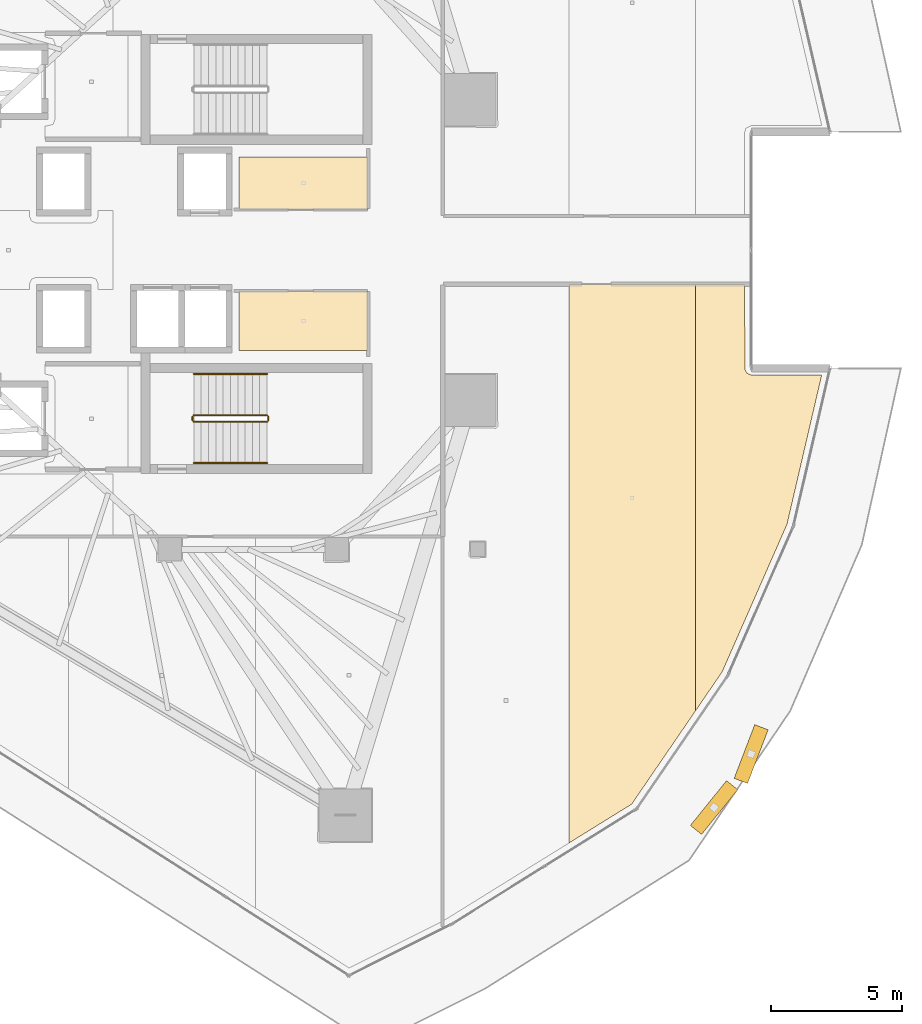
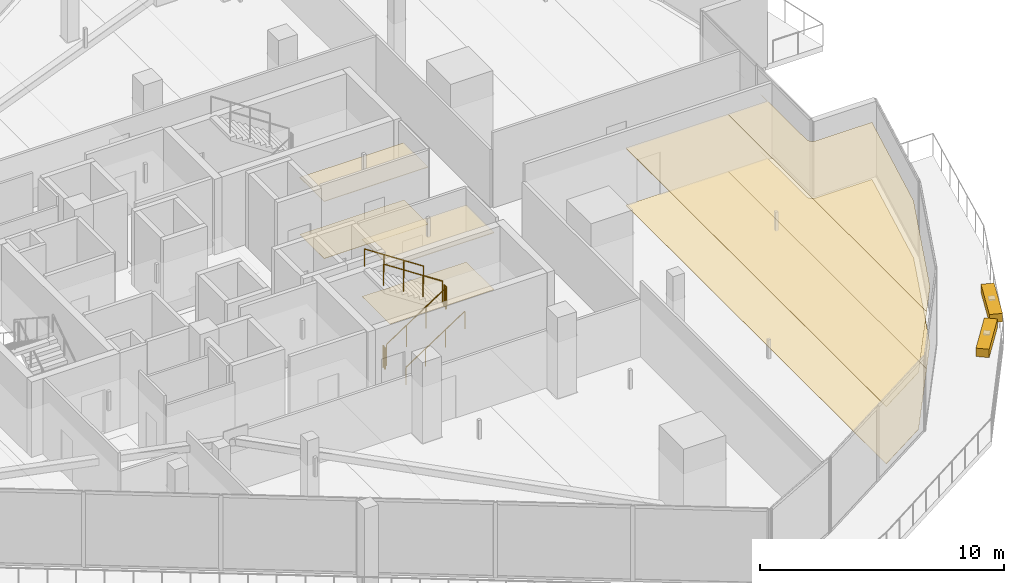
# One storey, part 36 of 39: 8 coverings, 6 railings, 2 shading devices.
"""IFC4 building model written with IfcOpenShell, lengths in metres."""

from ifc_helpers import new_model, si_unit, direction, frame, origin, origin_2d, place, context, subcontext, project, spatial, polyline, rectangle, circle, outline, extrude, material, layer, layer_set, type_object, element, save


model = new_model("IFC4")

# Units and contexts
model_context = context("Model", 3, precision=1e-05, world=origin(), true_north=direction((0.0, 1.0)))
body_context = subcontext(model_context, "Body", "Model", "MODEL_VIEW")
ifc_project = project(units=[si_unit("LENGTHUNIT", "METRE"), si_unit("AREAUNIT", "SQUARE_METRE"), si_unit("VOLUMEUNIT", "CUBIC_METRE"), si_unit("PLANEANGLEUNIT", "RADIAN"), si_unit("MASSUNIT", "GRAM", prefix="KILO")], contexts=[model_context])

# Site, building, storey
site_placement = place(None, origin())
site = spatial("IfcSite", under=ifc_project, at=site_placement, CompositionType="ELEMENT")
building_placement = place(site_placement, origin())
building = spatial("IfcBuilding", under=site, at=building_placement, Name="Qorvath Tower", CompositionType="ELEMENT")
storey_placement = place(building_placement, frame((0.0, 0.0, 201.0)))
storey = spatial("IfcBuildingStorey", under=building, at=storey_placement, Name="L46", CompositionType="ELEMENT", Elevation=201.0)

# Coverings
ifc_material_1 = material(Name="Acoustic mineral fibre ceiling tile", Category="gypsum")
ifc_layer_1 = layer(ifc_material_1, 0.030029296875)
ifc_layer_set_1 = layer_set([ifc_layer_1], Name="COV-CEIL")
covering_type_1 = type_object("IfcCoveringType", Name="COV-CEIL", PredefinedType="CEILING", material=ifc_layer_set_1)
covering_1_placement = place(storey_placement, frame((0.0, 0.0, 2.85009765625)))
element("IfcCovering", 1, at=covering_1_placement, inside=storey, type_object=covering_type_1, Name="L46 Suspended Acoustic Ceiling 003", PredefinedType="CEILING", context=body_context, shape_type="SweptSolid", body=[
    extrude(outline(polyline([(-16.0048828125, 3.56005859375), (-20.93994140625, 3.56005859375), (-20.93994140625, 1.56494140625), (-16.0048828125, 1.56494140625), (-16.0048828125, 3.56005859375)])), origin(), (0.0, 0.0, 1.0), 0.030029296875),
])
covering_2_placement = place(storey_placement, frame((0.0, 0.0, 2.85009765625)))
element("IfcCovering", 2, at=covering_2_placement, inside=storey, type_object=covering_type_1, Name="L46 Suspended Acoustic Ceiling 004", PredefinedType="CEILING", context=body_context, shape_type="SweptSolid", body=[
    extrude(outline(polyline([(-20.93994140625, -1.56494140625), (-20.93994140625, -3.85009765625), (-16.0048828125, -3.85009765625), (-16.0048828125, -1.56494140625), (-20.93994140625, -1.56494140625)])), origin(), (0.0, 0.0, 1.0), 0.030029296875),
])
covering_3_placement = place(storey_placement, frame((0.0, 0.0, 2.85009765625)))
element("IfcCovering", 3, at=covering_3_placement, inside=storey, type_object=covering_type_1, Name="L46 Suspended Acoustic Ceiling 025", PredefinedType="CEILING", context=body_context, shape_type="SweptSolid", body=[
    extrude(outline(polyline([(-3.47021484375, -17.63623046875), (-3.47021484375, -1.31298828125), (-8.3037109375, -1.31298828125), (-8.3037109375, -22.687744140625), (-5.91162109375, -21.20556640625), (-3.47021484375, -17.63623046875)])), origin(), (0.0, 0.0, 1.0), 0.030029296875),
])
covering_4_placement = place(storey_placement, frame((0.0, 0.0, 2.85009765625)))
element("IfcCovering", 4, at=covering_4_placement, inside=storey, type_object=covering_type_1, Name="L46 Suspended Acoustic Ceiling 026", PredefinedType="CEILING", context=body_context, shape_type="SweptSolid", body=[
    extrude(outline(polyline([(-1.491943359375, -4.715576171875), (-1.579345703125, -4.568603515625), (-1.590087890625, -0.740478515625), (-1.60107421875, -1.31298828125), (-3.47021484375, -1.31298828125), (-3.47021484375, -17.63623046875), (-2.446533203125, -16.139404296875), (0.03466796875, -10.492919921875), (1.363037109375, -4.77490234375), (-1.353515625, -4.773681640625), (-1.491943359375, -4.715576171875)])), origin(), (0.0, 0.0, 1.0), 0.030029296875),
])
ifc_material_2 = material(Name="Low-VOC modular carpet tile", Category="textile")
ifc_layer_2 = layer(ifc_material_2, 0.014892578125)
ifc_layer_set_2 = layer_set([ifc_layer_2], Name="COV-FLOOR-CPT")
covering_type_2 = type_object("IfcCoveringType", Name="COV-FLOOR-CPT", PredefinedType="FLOORING", material=ifc_layer_set_2)
covering_5_placement = place(storey_placement, origin())
element("IfcCovering", 5, at=covering_5_placement, inside=storey, type_object=covering_type_2, Name="L46 Floor Finish 003", PredefinedType="FLOORING", context=body_context, shape_type="SweptSolid", body=[
    extrude(outline(polyline([(-16.0048828125, 3.56005859375), (-20.93994140625, 3.56005859375), (-20.93994140625, 1.56494140625), (-16.0048828125, 1.56494140625), (-16.0048828125, 3.56005859375)])), origin(), (0.0, 0.0, 1.0), 0.014892578125),
])
covering_6_placement = place(storey_placement, origin())
element("IfcCovering", 6, at=covering_6_placement, inside=storey, type_object=covering_type_2, Name="L46 Floor Finish 004", PredefinedType="FLOORING", context=body_context, shape_type="SweptSolid", body=[
    extrude(outline(polyline([(-20.93994140625, -1.56494140625), (-20.93994140625, -3.85009765625), (-16.0048828125, -3.85009765625), (-16.0048828125, -1.56494140625), (-20.93994140625, -1.56494140625)])), origin(), (0.0, 0.0, 1.0), 0.014892578125),
])
covering_7_placement = place(storey_placement, origin())
element("IfcCovering", 7, at=covering_7_placement, inside=storey, type_object=covering_type_2, Name="L46 Floor Finish 025", PredefinedType="FLOORING", context=body_context, shape_type="SweptSolid", body=[
    extrude(outline(polyline([(-3.47021484375, -17.63623046875), (-3.47021484375, -1.31298828125), (-8.3037109375, -1.31298828125), (-8.3037109375, -22.687744140625), (-5.91162109375, -21.20556640625), (-3.47021484375, -17.63623046875)])), origin(), (0.0, 0.0, 1.0), 0.014892578125),
])
covering_8_placement = place(storey_placement, origin())
element("IfcCovering", 8, at=covering_8_placement, inside=storey, type_object=covering_type_2, Name="L46 Floor Finish 026", PredefinedType="FLOORING", context=body_context, shape_type="SweptSolid", body=[
    extrude(outline(polyline([(-1.491943359375, -4.715576171875), (-1.579345703125, -4.568603515625), (-1.590087890625, -0.740478515625), (-1.60107421875, -1.31298828125), (-3.47021484375, -1.31298828125), (-3.47021484375, -17.63623046875), (-2.446533203125, -16.139404296875), (0.03466796875, -10.492919921875), (1.363037109375, -4.77490234375), (-1.353515625, -4.773681640625), (-1.491943359375, -4.715576171875)])), origin(), (0.0, 0.0, 1.0), 0.014892578125),
])

# Railings
ifc_material_3 = material(Name="Painted galvanised steel", Category="steel")
railing_type_1 = type_object("IfcRailingType", Name="RL-STR-GRD", PredefinedType="GUARDRAIL", material=ifc_material_3)
railing_1_placement = place(storey_placement, frame((-22.669921875, -6.570068359375, 0.18408203125)))
element("IfcRailing", 9, at=railing_1_placement, inside=storey, type_object=railing_type_1, Name="L46 TS2 stair guard 1", PredefinedType="GUARDRAIL", context=body_context, shape_type="SweptSolid", body=[
    extrude(circle(Radius=0.02392578125, at=origin_2d()), frame((0.0, 0.0, 1.076171875), z_axis=(0.835575518608, 0.0, 0.549375602573), x_axis=(0.0, 1.0, 0.0)), (0.0, 0.0, 1.0), 3.350830078125),
    extrude(circle(Radius=0.02099609375, at=origin_2d()), origin(), (0.0, 0.0, 1.0), 1.052001953125),
    extrude(circle(Radius=0.02099609375, at=origin_2d()), frame((0.933349609375, 0.0, 0.613525390625)), (0.0, 0.0, 1.0), 1.052001953125),
    extrude(circle(Radius=0.02099609375, at=origin_2d()), frame((1.866455078125, 0.0, 1.227294921875)), (0.0, 0.0, 1.0), 1.052001953125),
    extrude(circle(Radius=0.02099609375, at=origin_2d()), frame((2.7998046875, 0.0, 1.8408203125)), (0.0, 0.0, 1.0), 1.052001953125),
])
railing_2_placement = place(storey_placement, frame((-19.820068359375, -6.52001953125, 2.02490234375)))
element("IfcRailing", 10, at=railing_2_placement, inside=storey, type_object=railing_type_1, Name="L46 TS2 stair guard 2", PredefinedType="GUARDRAIL", context=body_context, shape_type="SweptSolid", body=[
    extrude(circle(Radius=0.02392578125, at=origin_2d()), frame((0.0, 0.0, 1.076171875), z_axis=(0.0, 1.0, 0.0), x_axis=(-1.0, 0.0, 0.0)), (0.0, 0.0, 1.0), 0.14990234375),
    extrude(circle(Radius=0.02099609375, at=origin_2d()), origin(), (0.0, 0.0, 1.0), 1.052001953125),
    extrude(circle(Radius=0.02099609375, at=origin_2d()), frame((0.0, 0.14990234375, 0.0)), (0.0, 0.0, 1.0), 1.052001953125),
])
railing_3_placement = place(storey_placement, frame((-19.8701171875, -6.320068359375, 2.208984375)))
element("IfcRailing", 11, at=railing_3_placement, inside=storey, type_object=railing_type_1, Name="L46 TS2 stair guard 3", PredefinedType="GUARDRAIL", context=body_context, shape_type="SweptSolid", body=[
    extrude(circle(Radius=0.02392578125, at=origin_2d()), frame((0.0, 0.0, 1.076171875), z_axis=(-0.835542071712, 0.0, 0.549426470421), x_axis=(0.0, -1.0, 0.0)), (0.0, 0.0, 1.0), 3.350830078125),
    extrude(circle(Radius=0.02099609375, at=origin_2d()), origin(), (0.0, 0.0, 1.0), 1.052001953125),
    extrude(circle(Radius=0.02099609375, at=origin_2d()), frame((-0.933349609375, 0.0, 0.61376953125)), (0.0, 0.0, 1.0), 1.052001953125),
    extrude(circle(Radius=0.02099609375, at=origin_2d()), frame((-1.866455078125, 0.0, 1.227294921875)), (0.0, 0.0, 1.0), 1.052001953125),
    extrude(circle(Radius=0.02099609375, at=origin_2d()), frame((-2.7998046875, 0.0, 1.841064453125)), (0.0, 0.0, 1.0), 1.052001953125),
])
railing_4_placement = place(storey_placement, frame((-22.719970703125, -6.52001953125, 0.0)))
element("IfcRailing", 12, at=railing_4_placement, inside=storey, type_object=railing_type_1, Name="L46 TS2 stair guard 4", PredefinedType="GUARDRAIL", context=body_context, shape_type="SweptSolid", body=[
    extrude(circle(Radius=0.02392578125, at=origin_2d()), frame((0.0, 0.0, 1.076171875), z_axis=(0.0, 1.0, 0.0), x_axis=(-1.0, 0.0, 0.0)), (0.0, 0.0, 1.0), 0.14990234375),
    extrude(circle(Radius=0.02099609375, at=origin_2d()), origin(), (0.0, 0.0, 1.0), 1.052001953125),
    extrude(circle(Radius=0.02099609375, at=origin_2d()), frame((0.0, 0.14990234375, 0.0)), (0.0, 0.0, 1.0), 1.052001953125),
])
ifc_material_4 = material(Name="Brushed stainless steel AISI 304", Category="steel")
railing_type_2 = type_object("IfcRailingType", Name="RL-STR-HND", PredefinedType="HANDRAIL", material=ifc_material_4)
railing_5_placement = place(storey_placement, frame((-22.669921875, -8.14990234375, 0.18408203125)))
element("IfcRailing", 13, at=railing_5_placement, inside=storey, type_object=railing_type_2, Name="L46 TS2 stair handrail 1", PredefinedType="HANDRAIL", context=body_context, shape_type="SweptSolid", body=[
    extrude(circle(Radius=0.02392578125, at=origin_2d()), frame((0.0, 0.0, 0.8759765625), z_axis=(0.835575518608, 0.0, 0.549375602573), x_axis=(0.0, 1.0, 0.0)), (0.0, 0.0, 1.0), 3.350830078125),
    extrude(circle(Radius=0.02099609375, at=origin_2d()), origin(), (0.0, 0.0, 1.0), 0.851806640625),
    extrude(circle(Radius=0.02099609375, at=origin_2d()), frame((0.933349609375, 0.0, 0.613525390625)), (0.0, 0.0, 1.0), 0.851806640625),
    extrude(circle(Radius=0.02099609375, at=origin_2d()), frame((1.866455078125, 0.0, 1.227294921875)), (0.0, 0.0, 1.0), 0.851806640625),
    extrude(circle(Radius=0.02099609375, at=origin_2d()), frame((2.7998046875, 0.0, 1.8408203125)), (0.0, 0.0, 1.0), 0.851806640625),
])
railing_6_placement = place(storey_placement, frame((-19.8701171875, -4.739990234375, 2.208984375)))
element("IfcRailing", 14, at=railing_6_placement, inside=storey, type_object=railing_type_2, Name="L46 TS2 stair handrail 2", PredefinedType="HANDRAIL", context=body_context, shape_type="SweptSolid", body=[
    extrude(circle(Radius=0.02392578125, at=origin_2d()), frame((0.0, 0.0, 0.8759765625), z_axis=(-0.835542071712, 0.0, 0.549426470421), x_axis=(0.0, -1.0, 0.0)), (0.0, 0.0, 1.0), 3.350830078125),
    extrude(circle(Radius=0.02099609375, at=origin_2d()), origin(), (0.0, 0.0, 1.0), 0.851806640625),
    extrude(circle(Radius=0.02099609375, at=origin_2d()), frame((-0.933349609375, 0.0, 0.61376953125)), (0.0, 0.0, 1.0), 0.851806640625),
    extrude(circle(Radius=0.02099609375, at=origin_2d()), frame((-1.866455078125, 0.0, 1.227294921875)), (0.0, 0.0, 1.0), 0.851806640625),
    extrude(circle(Radius=0.02099609375, at=origin_2d()), frame((-2.7998046875, 0.0, 1.841064453125)), (0.0, 0.0, 1.0), 0.851806640625),
])

# Shading devices
ifc_material_5 = material(Name="Anodised bronze-champagne aluminium", Category="aluminium")
shading_device_type = type_object("IfcShadingDeviceType", Name="SD-LOUVRE", PredefinedType="JALOUSIE", material=ifc_material_5)
for number, where, z_axis, x_axis, name in (
    (15, (-2.759521484375, -21.33642578125, 3.360107421875), (0.0, 0.0, 1.0), (0.628628390287, 0.777705822869, 0.0), "Sinusoidal Wave Louvre Blade L46-03"),
    (16, (-1.33935546875, -19.288818359375, 3.360107421875), (0.0, 0.0, 1.0), (0.357683503127, 0.933842873074, 0.0), "Sinusoidal Wave Louvre Blade L46-04"),
):
    element("IfcShadingDevice", number, at=place(storey_placement, frame(where, z_axis=z_axis, x_axis=x_axis)), inside=storey, type_object=shading_device_type, Name=name, PredefinedType="NOTDEFINED", context=body_context, shape_type="SweptSolid", body=[
        extrude(rectangle(XDim=2.199951171875, YDim=0.550048828125, at=origin_2d()), origin(), (0.0, 0.0, 1.0), 0.419921875),
    ])

save(model, "model.ifc")
